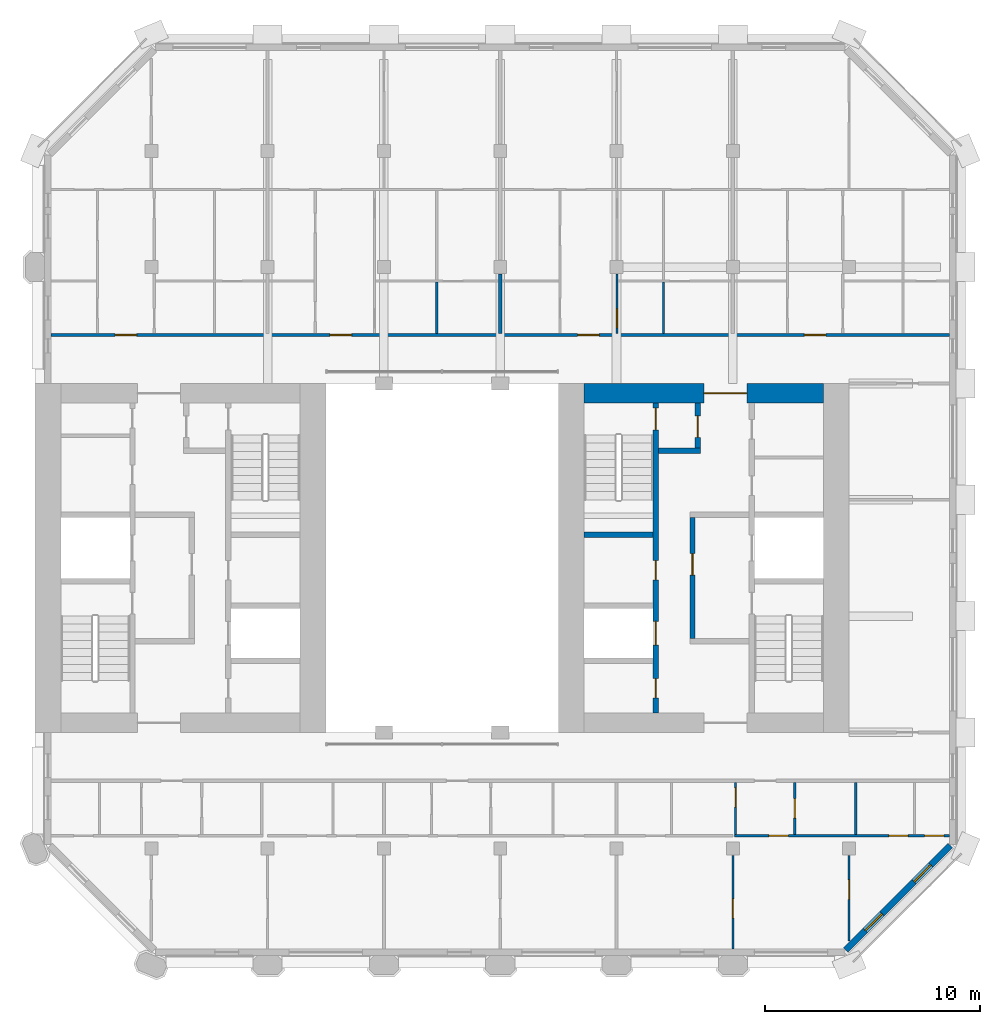
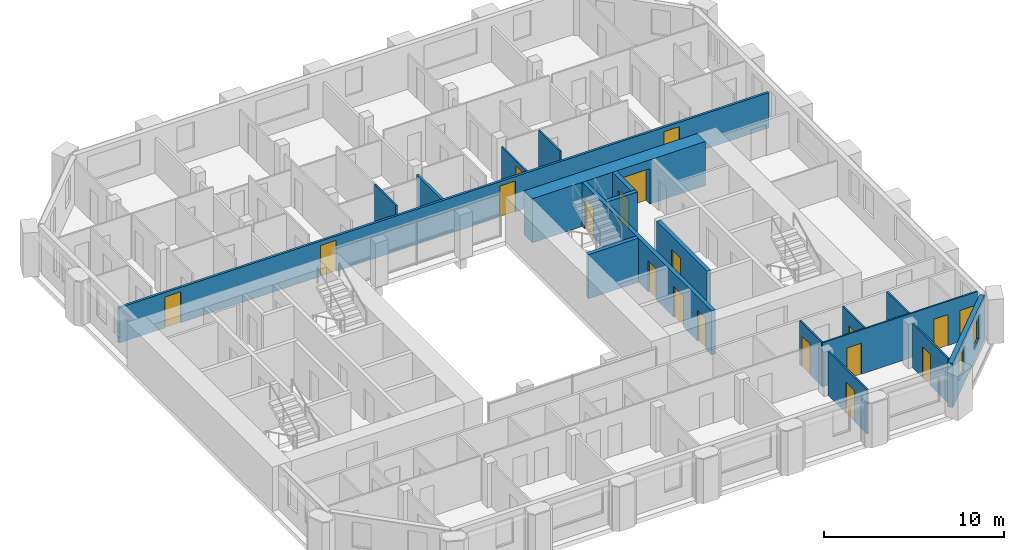
# One storey, part 6 of 13: 19 doors, 18 walls, 2 windows, 21 openings.
"""IFC4 building model written with IfcOpenShell, lengths in metres."""

from ifc_helpers import new_model, si_unit, direction, frame, frame_2d, origin, place, context, subcontext, project, spatial, rectangle, extrude, material, layer, layer_set, type_object, element, fill, save


model = new_model("IFC4")

# Units and contexts
model_context = context("Model", 3, precision=1e-05, world=origin(), true_north=direction((0.0, 1.0)))
body_context = subcontext(model_context, "Body", "Model", "MODEL_VIEW")
ifc_project = project(units=[si_unit("LENGTHUNIT", "METRE"), si_unit("AREAUNIT", "SQUARE_METRE"), si_unit("VOLUMEUNIT", "CUBIC_METRE"), si_unit("PLANEANGLEUNIT", "RADIAN"), si_unit("MASSUNIT", "GRAM", prefix="KILO")], contexts=[model_context])

# Site, building, storey
site_placement = place(None, origin())
site = spatial("IfcSite", under=ifc_project, at=site_placement, CompositionType="ELEMENT")
building_placement = place(site_placement, origin())
building = spatial("IfcBuilding", under=site, at=building_placement, Name="Tabaq Tower and Sports Hall", CompositionType="ELEMENT")
storey_placement = place(building_placement, frame((0.0, 0.0, 291.699951171875)))
storey = spatial("IfcBuildingStorey", under=building, at=storey_placement, Name="L72", CompositionType="ELEMENT", Elevation=291.699951171875)

# Wall, opening, door
ifc_material_1 = material(Name="Concrete C40/50", Category="concrete")
ifc_layer_1 = layer(ifc_material_1, 0.89990234375)
ifc_layer_set_1 = layer_set([ifc_layer_1], Name="Core wall 900 Concrete C40/50")
wall_type_1 = type_object("IfcWallType", Name="Core wall 900 Concrete C40/50", PredefinedType="SOLIDWALL", material=ifc_layer_set_1)
wall_1_placement = place(storey_placement, frame((30.89990234375, 31.949951171875, 0.0), z_axis=(0.0, 0.0, 1.0), x_axis=(1.0, 0.0, 0.0)))
wall_1 = element("IfcWall", 1, at=wall_1_placement, inside=storey, type_object=wall_type_1, Name="Core wall E L72", PredefinedType="SOLIDWALL", context=body_context, shape_type="SweptSolid", body=[
    extrude(rectangle(XDim=11.10009765625, YDim=0.89990234375, at=frame_2d((5.550048828125, 0.0))), origin(), (0.0, 0.0, 1.0), 3.0),
])
opening_1_placement = place(wall_1_placement, frame((5.550048828125, 0.0, 0.0)))
opening_1 = element("IfcOpeningElement", 2, at=opening_1_placement, cuts=wall_1, Name="Opening PD-EL72-02", PredefinedType="OPENING", context=body_context, shape_type="SweptSolid", body=[
    extrude(rectangle(XDim=2.0, YDim=2.39990234375, at=frame_2d((1.0, 1.199951171875))), frame((0.0, 0.449951171875, 0.0), z_axis=(0.0, -1.0, 0.0), x_axis=(1.0, 0.0, 0.0)), (0.0, 0.0, 1.0), 0.89990234375),
])
ifc_material_2 = material(Name="Steel fire door", Category="steel")
door_type_1 = type_object("IfcDoorType", Name="Core entrance door 2000", OperationType="DOUBLE_DOOR_SINGLE_SWING", PredefinedType="DOOR", material=ifc_material_2)
door_1_placement = place(opening_1_placement, origin())
door_1 = element("IfcDoor", 3, at=door_1_placement, inside=storey, type_object=door_type_1, Name="Core entrance north E L72", OperationType="DOUBLE_DOOR_SINGLE_SWING", OverallHeight=2.39990234375, OverallWidth=2.0, PredefinedType="DOOR", context=body_context, shape_type="SweptSolid", body=[
    extrude(rectangle(XDim=2.0, YDim=2.39990234375, at=frame_2d((1.0, 1.199951171875))), frame((0.0, 0.02490234375, 0.0), z_axis=(0.0, -1.0, 0.0), x_axis=(1.0, 0.0, 0.0)), (0.0, 0.0, 1.0), 0.050048828125),
])
fill(opening_1, door_1)

# Wall
ifc_material_3 = material(Name="Gypsum board on steel studs", Category="steel")
ifc_layer_2 = layer(ifc_material_3, 0.10009765625)
ifc_layer_set_2 = layer_set([ifc_layer_2], Name="Partition 100 Gypsum board")
wall_type_2 = type_object("IfcWallType", Name="Partition 100 Gypsum board", PredefinedType="PARTITIONING", material=ifc_layer_set_2)
wall_2_placement = place(storey_placement, frame((24.050048828125, 34.72509765625, 0.0), z_axis=(0.0, 0.0, 1.0), x_axis=(0.0, 1.0, 0.0)))
element("IfcWall", 4, at=wall_2_placement, inside=storey, type_object=wall_type_2, Name="Partition wall L72", PredefinedType="PARTITIONING", context=body_context, shape_type="SweptSolid", body=[
    extrude(rectangle(XDim=2.375, YDim=0.10009765625, at=frame_2d((1.1875, 0.0))), origin(), (0.0, 0.0, 1.0), 3.0),
])

# Wall, opening, door
wall_3_placement = place(storey_placement, frame((32.419921875, 34.72509765625, 0.0), z_axis=(0.0, 0.0, 1.0), x_axis=(0.0, 1.0, 0.0)))
wall_3 = element("IfcWall", 5, at=wall_3_placement, inside=storey, type_object=wall_type_2, Name="Partition wall L72", PredefinedType="PARTITIONING", context=body_context, shape_type="SweptSolid", body=[
    extrude(rectangle(XDim=2.7548828125, YDim=0.10009765625, at=frame_2d((1.37744140625, 0.0))), origin(), (0.0, 0.0, 1.0), 2.400146484375),
])
opening_2_placement = place(wall_3_placement, frame((0.25, 0.0, 0.0)))
opening_2 = element("IfcOpeningElement", 6, at=opening_2_placement, cuts=wall_3, Name="Opening L72-011", PredefinedType="OPENING", context=body_context, shape_type="SweptSolid", body=[
    extrude(rectangle(XDim=0.89990234375, YDim=2.10009765625, at=frame_2d((0.449951171875, 1.050048828125))), frame((0.0, 0.050048828125, 0.0), z_axis=(0.0, -1.0, 0.0), x_axis=(1.0, 0.0, 0.0)), (0.0, 0.0, 1.0), 0.10009765625),
])
ifc_material_4 = material(Name="Timber leaf in steel frame", Category="steel")
door_type_2 = type_object("IfcDoorType", Name="Internal door 900 right hand", OperationType="SINGLE_SWING_RIGHT", PredefinedType="DOOR", material=ifc_material_4)
door_2_placement = place(opening_2_placement, origin())
door_2 = element("IfcDoor", 7, at=door_2_placement, inside=storey, type_object=door_type_2, Name="Internal door L72-011", OperationType="SINGLE_SWING_RIGHT", OverallHeight=2.10009765625, OverallWidth=0.89990234375, PredefinedType="DOOR", context=body_context, shape_type="SweptSolid", body=[
    extrude(rectangle(XDim=0.89990234375, YDim=2.10009765625, at=frame_2d((0.449951171875, 1.050048828125))), frame((0.0, 0.02490234375, 0.0), z_axis=(0.0, -1.0, 0.0), x_axis=(1.0, 0.0, 0.0)), (0.0, 0.0, 1.0), 0.050048828125),
])
fill(opening_2, door_2)

# Wall
wall_4_placement = place(storey_placement, frame((34.575927734375, 34.72509765625, 0.0), z_axis=(0.0, 0.0, 1.0), x_axis=(0.0, 1.0, 0.0)))
element("IfcWall", 8, at=wall_4_placement, inside=storey, type_object=wall_type_2, Name="Partition wall L72", PredefinedType="PARTITIONING", context=body_context, shape_type="SweptSolid", body=[
    extrude(rectangle(XDim=2.375, YDim=0.10009765625, at=frame_2d((1.1875, 0.0))), origin(), (0.0, 0.0, 1.0), 3.0),
])

# Wall, opening, door
wall_5_placement = place(storey_placement, frame((37.800048828125, 6.15087890625, 0.0), z_axis=(0.0, 0.0, 1.0), x_axis=(0.0, 1.0, 0.0)))
wall_5 = element("IfcWall", 9, at=wall_5_placement, inside=storey, type_object=wall_type_2, Name="Partition wall L72", PredefinedType="PARTITIONING", context=body_context, shape_type="SweptSolid", body=[
    extrude(rectangle(XDim=4.3291015625, YDim=0.10009765625, at=frame_2d((2.16455078125, 0.0))), origin(), (0.0, 0.0, 1.0), 3.0),
])
opening_3_placement = place(wall_5_placement, frame((1.424072265625, 0.0, 0.0)))
opening_3 = element("IfcOpeningElement", 10, at=opening_3_placement, cuts=wall_5, Name="Opening L72-051", PredefinedType="OPENING", context=body_context, shape_type="SweptSolid", body=[
    extrude(rectangle(XDim=0.89990234375, YDim=2.10009765625, at=frame_2d((0.449951171875, 1.050048828125))), frame((0.0, 0.050048828125, 0.0), z_axis=(0.0, -1.0, 0.0), x_axis=(1.0, 0.0, 0.0)), (0.0, 0.0, 1.0), 0.10009765625),
])
door_3_placement = place(opening_3_placement, origin())
door_3 = element("IfcDoor", 11, at=door_3_placement, inside=storey, type_object=door_type_2, Name="Internal door L72-051", OperationType="SINGLE_SWING_RIGHT", OverallHeight=2.10009765625, OverallWidth=0.89990234375, PredefinedType="DOOR", context=body_context, shape_type="SweptSolid", body=[
    extrude(rectangle(XDim=0.89990234375, YDim=2.10009765625, at=frame_2d((0.449951171875, 1.050048828125))), frame((0.0, 0.02490234375, 0.0), z_axis=(0.0, -1.0, 0.0), x_axis=(1.0, 0.0, 0.0)), (0.0, 0.0, 1.0), 0.050048828125),
])
fill(opening_3, door_3)

wall_6_placement = place(storey_placement, frame((43.199951171875, 6.51220703125, 0.0), z_axis=(0.0, 0.0, 1.0), x_axis=(0.0, 1.0, 0.0)))
wall_6 = element("IfcWall", 12, at=wall_6_placement, inside=storey, type_object=wall_type_2, Name="Partition wall L72", PredefinedType="PARTITIONING", context=body_context, shape_type="SweptSolid", body=[
    extrude(rectangle(XDim=3.9677734375, YDim=0.10009765625, at=frame_2d((1.98388671875, 0.0))), origin(), (0.0, 0.0, 1.0), 3.0),
])
opening_4_placement = place(wall_6_placement, frame((1.93798828125, 0.0, 0.0)))
opening_4 = element("IfcOpeningElement", 13, at=opening_4_placement, cuts=wall_6, Name="Opening L72-059", PredefinedType="OPENING", context=body_context, shape_type="SweptSolid", body=[
    extrude(rectangle(XDim=0.89990234375, YDim=2.10009765625, at=frame_2d((0.449951171875, 1.050048828125))), frame((0.0, 0.050048828125, 0.0), z_axis=(0.0, -1.0, 0.0), x_axis=(1.0, 0.0, 0.0)), (0.0, 0.0, 1.0), 0.10009765625),
])
ifc_material_5 = material(Name="Timber leaf in steel frame", Category="steel")
door_type_3 = type_object("IfcDoorType", Name="Internal door 900 left hand", OperationType="SINGLE_SWING_LEFT", PredefinedType="DOOR", material=ifc_material_5)
door_4_placement = place(opening_4_placement, origin())
door_4 = element("IfcDoor", 14, at=door_4_placement, inside=storey, type_object=door_type_3, Name="Internal door L72-059", OperationType="SINGLE_SWING_LEFT", OverallHeight=2.10009765625, OverallWidth=0.89990234375, PredefinedType="DOOR", context=body_context, shape_type="SweptSolid", body=[
    extrude(rectangle(XDim=0.89990234375, YDim=2.10009765625, at=frame_2d((0.449951171875, 1.050048828125))), frame((0.0, 0.02490234375, 0.0), z_axis=(0.0, -1.0, 0.0), x_axis=(1.0, 0.0, 0.0)), (0.0, 0.0, 1.0), 0.050048828125),
])
fill(opening_4, door_4)

# Wall, openings, doors
wall_7_placement = place(storey_placement, frame((47.84912109375, 11.39990234375, 0.0), z_axis=(0.0, 0.0, 1.0), x_axis=(-1.0, 0.0, 0.0)))
wall_7 = element("IfcWall", 15, at=wall_7_placement, inside=storey, type_object=wall_type_2, Name="Partition wall L72", PredefinedType="PARTITIONING", context=body_context, shape_type="SweptSolid", body=[
    extrude(rectangle(XDim=9.97412109375, YDim=0.10009765625, at=frame_2d((4.987060546875, 0.0))), origin(), (0.0, 0.0, 1.0), 3.0),
])
opening_5_placement = place(wall_7_placement, frame((1.908935546875, 0.0, 0.0)))
opening_5 = element("IfcOpeningElement", 16, at=opening_5_placement, cuts=wall_7, Name="Opening L72-026", PredefinedType="OPENING", context=body_context, shape_type="SweptSolid", body=[
    extrude(rectangle(XDim=0.89990234375, YDim=2.10009765625, at=frame_2d((0.449951171875, 1.050048828125))), frame((0.0, 0.050048828125, 0.0), z_axis=(0.0, -1.0, 0.0), x_axis=(1.0, 0.0, 0.0)), (0.0, 0.0, 1.0), 0.10009765625),
])
opening_6_placement = place(wall_7_placement, frame((0.25, 0.0, 0.0)))
opening_6 = element("IfcOpeningElement", 17, at=opening_6_placement, cuts=wall_7, Name="Opening L72-027", PredefinedType="OPENING", context=body_context, shape_type="SweptSolid", body=[
    extrude(rectangle(XDim=0.89990234375, YDim=2.10009765625, at=frame_2d((0.449951171875, 1.050048828125))), frame((0.0, 0.050048828125, 0.0), z_axis=(0.0, -1.0, 0.0), x_axis=(1.0, 0.0, 0.0)), (0.0, 0.0, 1.0), 0.10009765625),
])
opening_7_placement = place(wall_7_placement, frame((7.47412109375, 0.0, 0.0)))
opening_7 = element("IfcOpeningElement", 18, at=opening_7_placement, cuts=wall_7, Name="Opening L72-060", PredefinedType="OPENING", context=body_context, shape_type="SweptSolid", body=[
    extrude(rectangle(XDim=0.89990234375, YDim=2.10009765625, at=frame_2d((0.449951171875, 1.050048828125))), frame((0.0, 0.050048828125, 0.0), z_axis=(0.0, -1.0, 0.0), x_axis=(1.0, 0.0, 0.0)), (0.0, 0.0, 1.0), 0.10009765625),
])
door_5_placement = place(opening_6_placement, origin())
door_5 = element("IfcDoor", 19, at=door_5_placement, inside=storey, type_object=door_type_3, Name="Internal door L72-027", OperationType="SINGLE_SWING_LEFT", OverallHeight=2.10009765625, OverallWidth=0.89990234375, PredefinedType="DOOR", context=body_context, shape_type="SweptSolid", body=[
    extrude(rectangle(XDim=0.89990234375, YDim=2.10009765625, at=frame_2d((0.449951171875, 1.050048828125))), frame((0.0, 0.02490234375, 0.0), z_axis=(0.0, -1.0, 0.0), x_axis=(1.0, 0.0, 0.0)), (0.0, 0.0, 1.0), 0.050048828125),
])
fill(opening_6, door_5)
door_6_placement = place(opening_7_placement, origin())
door_6 = element("IfcDoor", 20, at=door_6_placement, inside=storey, type_object=door_type_3, Name="Internal door L72-060", OperationType="SINGLE_SWING_LEFT", OverallHeight=2.10009765625, OverallWidth=0.89990234375, PredefinedType="DOOR", context=body_context, shape_type="SweptSolid", body=[
    extrude(rectangle(XDim=0.89990234375, YDim=2.10009765625, at=frame_2d((0.449951171875, 1.050048828125))), frame((0.0, 0.02490234375, 0.0), z_axis=(0.0, -1.0, 0.0), x_axis=(1.0, 0.0, 0.0)), (0.0, 0.0, 1.0), 0.050048828125),
])
fill(opening_7, door_6)
door_7_placement = place(opening_5_placement, origin())
door_7 = element("IfcDoor", 21, at=door_7_placement, inside=storey, type_object=door_type_2, Name="Internal door L72-026", OperationType="SINGLE_SWING_RIGHT", OverallHeight=2.10009765625, OverallWidth=0.89990234375, PredefinedType="DOOR", context=body_context, shape_type="SweptSolid", body=[
    extrude(rectangle(XDim=0.89990234375, YDim=2.10009765625, at=frame_2d((0.449951171875, 1.050048828125))), frame((0.0, 0.02490234375, 0.0), z_axis=(0.0, -1.0, 0.0), x_axis=(1.0, 0.0, 0.0)), (0.0, 0.0, 1.0), 0.050048828125),
])
fill(opening_5, door_7)

# Wall, opening, door
wall_8_placement = place(storey_placement, frame((37.925048828125, 11.449951171875, 0.0), z_axis=(0.0, 0.0, 1.0), x_axis=(0.0, 1.0, 0.0)))
wall_8 = element("IfcWall", 22, at=wall_8_placement, inside=storey, type_object=wall_type_2, Name="Partition wall L72", PredefinedType="PARTITIONING", context=body_context, shape_type="SweptSolid", body=[
    extrude(rectangle(XDim=2.425048828125, YDim=0.10009765625, at=frame_2d((1.21240234375, 0.0))), origin(), (0.0, 0.0, 1.0), 3.0),
])
opening_8_placement = place(wall_8_placement, frame((1.27490234375, 0.0, 0.0)))
opening_8 = element("IfcOpeningElement", 23, at=opening_8_placement, cuts=wall_8, Name="Opening L72-028", PredefinedType="OPENING", context=body_context, shape_type="SweptSolid", body=[
    extrude(rectangle(XDim=0.89990234375, YDim=2.10009765625, at=frame_2d((0.449951171875, 1.050048828125))), frame((0.0, 0.050048828125, 0.0), z_axis=(0.0, -1.0, 0.0), x_axis=(1.0, 0.0, 0.0)), (0.0, 0.0, 1.0), 0.10009765625),
])
door_8_placement = place(opening_8_placement, origin())
door_8 = element("IfcDoor", 24, at=door_8_placement, inside=storey, type_object=door_type_2, Name="Internal door L72-028", OperationType="SINGLE_SWING_RIGHT", OverallHeight=2.10009765625, OverallWidth=0.89990234375, PredefinedType="DOOR", context=body_context, shape_type="SweptSolid", body=[
    extrude(rectangle(XDim=0.89990234375, YDim=2.10009765625, at=frame_2d((0.449951171875, 1.050048828125))), frame((0.0, 0.02490234375, 0.0), z_axis=(0.0, -1.0, 0.0), x_axis=(1.0, 0.0, 0.0)), (0.0, 0.0, 1.0), 0.050048828125),
])
fill(opening_8, door_8)

wall_9_placement = place(storey_placement, frame((40.675048828125, 11.449951171875, 0.0), z_axis=(0.0, 0.0, 1.0), x_axis=(0.0, 1.0, 0.0)))
wall_9 = element("IfcWall", 25, at=wall_9_placement, inside=storey, type_object=wall_type_2, Name="Partition wall L72", PredefinedType="PARTITIONING", context=body_context, shape_type="SweptSolid", body=[
    extrude(rectangle(XDim=2.425048828125, YDim=0.10009765625, at=frame_2d((1.21240234375, 0.0))), origin(), (0.0, 0.0, 1.0), 3.0),
])
opening_9_placement = place(wall_9_placement, frame((0.77490234375, 0.0, 0.0)))
opening_9 = element("IfcOpeningElement", 26, at=opening_9_placement, cuts=wall_9, Name="Opening L72-029", PredefinedType="OPENING", context=body_context, shape_type="SweptSolid", body=[
    extrude(rectangle(XDim=0.89990234375, YDim=2.10009765625, at=frame_2d((0.449951171875, 1.050048828125))), frame((0.0, 0.050048828125, 0.0), z_axis=(0.0, -1.0, 0.0), x_axis=(1.0, 0.0, 0.0)), (0.0, 0.0, 1.0), 0.10009765625),
])
door_9_placement = place(opening_9_placement, origin())
door_9 = element("IfcDoor", 27, at=door_9_placement, inside=storey, type_object=door_type_3, Name="Internal door L72-029", OperationType="SINGLE_SWING_LEFT", OverallHeight=2.10009765625, OverallWidth=0.89990234375, PredefinedType="DOOR", context=body_context, shape_type="SweptSolid", body=[
    extrude(rectangle(XDim=0.89990234375, YDim=2.10009765625, at=frame_2d((0.449951171875, 1.050048828125))), frame((0.0, 0.02490234375, 0.0), z_axis=(0.0, -1.0, 0.0), x_axis=(1.0, 0.0, 0.0)), (0.0, 0.0, 1.0), 0.050048828125),
])
fill(opening_9, door_9)

# Walls
wall_10_placement = place(storey_placement, frame((43.5048828125, 11.449951171875, 0.0), z_axis=(0.0, 0.0, 1.0), x_axis=(0.0, 1.0, 0.0)))
element("IfcWall", 28, at=wall_10_placement, inside=storey, type_object=wall_type_2, Name="Partition wall L72", PredefinedType="PARTITIONING", context=body_context, shape_type="SweptSolid", body=[
    extrude(rectangle(XDim=2.425048828125, YDim=0.10009765625, at=frame_2d((1.21240234375, 0.0))), origin(), (0.0, 0.0, 1.0), 3.0),
])
ifc_material_6 = material(Name="Blockwork", Category="masonry")
ifc_layer_3 = layer(ifc_material_6, 0.14990234375)
ifc_layer_set_3 = layer_set([ifc_layer_3], Name="Separating wall 150 Blockwork")
wall_type_3 = type_object("IfcWallType", Name="Separating wall 150 Blockwork", PredefinedType="PARTITIONING", material=ifc_layer_set_3)
wall_11_placement = place(storey_placement, frame((27.0, 34.72509765625, 0.0), z_axis=(0.0, 0.0, 1.0), x_axis=(0.0, 1.0, 0.0)))
element("IfcWall", 29, at=wall_11_placement, inside=storey, type_object=wall_type_3, Name="Separating wall L72", PredefinedType="PARTITIONING", context=body_context, shape_type="SweptSolid", body=[
    extrude(rectangle(XDim=2.7548828125, YDim=0.14990234375, at=frame_2d((1.37744140625, 0.0))), origin(), (0.0, 0.0, 1.0), 2.400146484375),
])

# Wall, openings, doors
wall_12_placement = place(storey_placement, frame((6.15087890625, 34.64990234375, 0.0), z_axis=(0.0, 0.0, 1.0), x_axis=(1.0, 0.0, 0.0)))
wall_12 = element("IfcWall", 30, at=wall_12_placement, inside=storey, type_object=wall_type_3, Name="Separating wall L72", PredefinedType="PARTITIONING", context=body_context, shape_type="SweptSolid", body=[
    extrude(rectangle(XDim=41.6982421875, YDim=0.14990234375, at=frame_2d((20.84912109375, 0.0))), origin(), (0.0, 0.0, 1.0), 2.400146484375),
])
opening_10_placement = place(wall_12_placement, frame((2.968994140625, 0.0, 0.0)))
opening_10 = element("IfcOpeningElement", 31, at=opening_10_placement, cuts=wall_12, Name="Opening L72-064", PredefinedType="OPENING", context=body_context, shape_type="SweptSolid", body=[
    extrude(rectangle(XDim=1.0, YDim=2.10009765625, at=frame_2d((0.5, 1.050048828125))), frame((0.0, 0.074951171875, 0.0), z_axis=(0.0, -1.0, 0.0), x_axis=(1.0, 0.0, 0.0)), (0.0, 0.0, 1.0), 0.14990234375),
])
opening_11_placement = place(wall_12_placement, frame((12.944091796875, 0.0, 0.0)))
opening_11 = element("IfcOpeningElement", 32, at=opening_11_placement, cuts=wall_12, Name="Opening L72-065", PredefinedType="OPENING", context=body_context, shape_type="SweptSolid", body=[
    extrude(rectangle(XDim=1.0, YDim=2.10009765625, at=frame_2d((0.5, 1.050048828125))), frame((0.0, 0.074951171875, 0.0), z_axis=(0.0, -1.0, 0.0), x_axis=(1.0, 0.0, 0.0)), (0.0, 0.0, 1.0), 0.14990234375),
])
opening_12_placement = place(wall_12_placement, frame((24.444091796875, 0.0, 0.0)))
opening_12 = element("IfcOpeningElement", 33, at=opening_12_placement, cuts=wall_12, Name="Opening L72-066", PredefinedType="OPENING", context=body_context, shape_type="SweptSolid", body=[
    extrude(rectangle(XDim=1.0, YDim=2.10009765625, at=frame_2d((0.5, 1.050048828125))), frame((0.0, 0.074951171875, 0.0), z_axis=(0.0, -1.0, 0.0), x_axis=(1.0, 0.0, 0.0)), (0.0, 0.0, 1.0), 0.14990234375),
])
opening_13_placement = place(wall_12_placement, frame((34.964111328125, 0.0, 0.0)))
opening_13 = element("IfcOpeningElement", 34, at=opening_13_placement, cuts=wall_12, Name="Opening L72-067", PredefinedType="OPENING", context=body_context, shape_type="SweptSolid", body=[
    extrude(rectangle(XDim=1.0, YDim=2.10009765625, at=frame_2d((0.5, 1.050048828125))), frame((0.0, 0.074951171875, 0.0), z_axis=(0.0, -1.0, 0.0), x_axis=(1.0, 0.0, 0.0)), (0.0, 0.0, 1.0), 0.14990234375),
])
ifc_material_7 = material(Name="Steel fire door", Category="steel")
door_type_4 = type_object("IfcDoorType", Name="Entrance door 1000 left hand", OperationType="SINGLE_SWING_LEFT", PredefinedType="DOOR", material=ifc_material_7)
door_10_placement = place(opening_12_placement, origin())
door_10 = element("IfcDoor", 35, at=door_10_placement, inside=storey, type_object=door_type_4, Name="Entrance door L72-066", OperationType="SINGLE_SWING_LEFT", OverallHeight=2.10009765625, OverallWidth=1.0, PredefinedType="DOOR", context=body_context, shape_type="SweptSolid", body=[
    extrude(rectangle(XDim=1.0, YDim=2.10009765625, at=frame_2d((0.5, 1.050048828125))), frame((0.0, 0.02490234375, 0.0), z_axis=(0.0, -1.0, 0.0), x_axis=(1.0, 0.0, 0.0)), (0.0, 0.0, 1.0), 0.050048828125),
])
fill(opening_12, door_10)
door_11_placement = place(opening_13_placement, origin())
door_11 = element("IfcDoor", 36, at=door_11_placement, inside=storey, type_object=door_type_4, Name="Entrance door L72-067", OperationType="SINGLE_SWING_LEFT", OverallHeight=2.10009765625, OverallWidth=1.0, PredefinedType="DOOR", context=body_context, shape_type="SweptSolid", body=[
    extrude(rectangle(XDim=1.0, YDim=2.10009765625, at=frame_2d((0.5, 1.050048828125))), frame((0.0, 0.02490234375, 0.0), z_axis=(0.0, -1.0, 0.0), x_axis=(1.0, 0.0, 0.0)), (0.0, 0.0, 1.0), 0.050048828125),
])
fill(opening_13, door_11)
ifc_material_8 = material(Name="Steel fire door", Category="steel")
door_type_5 = type_object("IfcDoorType", Name="Entrance door 1000 right hand", OperationType="SINGLE_SWING_RIGHT", PredefinedType="DOOR", material=ifc_material_8)
door_12_placement = place(opening_10_placement, origin())
door_12 = element("IfcDoor", 37, at=door_12_placement, inside=storey, type_object=door_type_5, Name="Entrance door L72-064", OperationType="SINGLE_SWING_RIGHT", OverallHeight=2.10009765625, OverallWidth=1.0, PredefinedType="DOOR", context=body_context, shape_type="SweptSolid", body=[
    extrude(rectangle(XDim=1.0, YDim=2.10009765625, at=frame_2d((0.5, 1.050048828125))), frame((0.0, 0.02490234375, 0.0), z_axis=(0.0, -1.0, 0.0), x_axis=(1.0, 0.0, 0.0)), (0.0, 0.0, 1.0), 0.050048828125),
])
fill(opening_10, door_12)
door_13_placement = place(opening_11_placement, origin())
door_13 = element("IfcDoor", 38, at=door_13_placement, inside=storey, type_object=door_type_5, Name="Entrance door L72-065", OperationType="SINGLE_SWING_RIGHT", OverallHeight=2.10009765625, OverallWidth=1.0, PredefinedType="DOOR", context=body_context, shape_type="SweptSolid", body=[
    extrude(rectangle(XDim=1.0, YDim=2.10009765625, at=frame_2d((0.5, 1.050048828125))), frame((0.0, 0.02490234375, 0.0), z_axis=(0.0, -1.0, 0.0), x_axis=(1.0, 0.0, 0.0)), (0.0, 0.0, 1.0), 0.050048828125),
])
fill(opening_11, door_13)

ifc_material_9 = material(Name="Concrete C40/50", Category="concrete")
ifc_layer_4 = layer(ifc_material_9, 0.25)
ifc_layer_set_4 = layer_set([ifc_layer_4], Name="Shaft and stair wall 250 Concrete C40/50")
wall_type_4 = type_object("IfcWallType", Name="Shaft and stair wall 250 Concrete C40/50", PredefinedType="SOLIDWALL", material=ifc_layer_set_4)
wall_13_placement = place(storey_placement, frame((34.22509765625, 17.10009765625, 0.0), z_axis=(0.0, 0.0, 1.0), x_axis=(0.0, 1.0, 0.0)))
wall_13 = element("IfcWall", 39, at=wall_13_placement, inside=storey, type_object=wall_type_4, Name="Shaft wall E L72", PredefinedType="SOLIDWALL", context=body_context, shape_type="SweptSolid", body=[
    extrude(rectangle(XDim=14.39990234375, YDim=0.25, at=frame_2d((7.199951171875, 0.0))), origin(), (0.0, 0.0, 1.0), 3.0),
])
opening_14_placement = place(wall_13_placement, frame((13.14990234375, 0.0, 0.0)))
opening_14 = element("IfcOpeningElement", 40, at=opening_14_placement, cuts=wall_13, Name="Opening SD-EL72-05", PredefinedType="OPENING", context=body_context, shape_type="SweptSolid", body=[
    extrude(rectangle(XDim=1.0, YDim=2.10009765625, at=frame_2d((0.5, 1.050048828125))), frame((0.0, 0.125, 0.0), z_axis=(0.0, -1.0, 0.0), x_axis=(1.0, 0.0, 0.0)), (0.0, 0.0, 1.0), 0.25),
])
opening_15_placement = place(wall_13_placement, frame((3.14990234375, 0.0, 0.0)))
opening_15 = element("IfcOpeningElement", 41, at=opening_15_placement, cuts=wall_13, Name="Opening LD-HR2-L72", PredefinedType="OPENING", context=body_context, shape_type="SweptSolid", body=[
    extrude(rectangle(XDim=1.10009765625, YDim=2.10009765625, at=frame_2d((0.550048828125, 1.050048828125))), frame((0.0, 0.125, 0.0), z_axis=(0.0, -1.0, 0.0), x_axis=(1.0, 0.0, 0.0)), (0.0, 0.0, 1.0), 0.25),
])
opening_16_placement = place(wall_13_placement, frame((0.699951171875, 0.0, 0.0)))
opening_16 = element("IfcOpeningElement", 42, at=opening_16_placement, cuts=wall_13, Name="Opening RD-EL72-11", PredefinedType="OPENING", context=body_context, shape_type="SweptSolid", body=[
    extrude(rectangle(XDim=0.89990234375, YDim=2.10009765625, at=frame_2d((0.449951171875, 1.050048828125))), frame((0.0, 0.125, 0.0), z_axis=(0.0, -1.0, 0.0), x_axis=(1.0, 0.0, 0.0)), (0.0, 0.0, 1.0), 0.25),
])
opening_17_placement = place(wall_13_placement, frame((6.175048828125, 0.0, 0.0)))
opening_17 = element("IfcOpeningElement", 43, at=opening_17_placement, cuts=wall_13, Name="Opening RD-EL72-12", PredefinedType="OPENING", context=body_context, shape_type="SweptSolid", body=[
    extrude(rectangle(XDim=0.89990234375, YDim=2.10009765625, at=frame_2d((0.449951171875, 1.050048828125))), frame((0.0, 0.125, 0.0), z_axis=(0.0, -1.0, 0.0), x_axis=(1.0, 0.0, 0.0)), (0.0, 0.0, 1.0), 0.25),
])
ifc_material_10 = material(Name="Steel fire door", Category="steel")
door_type_6 = type_object("IfcDoorType", Name="Core room door 900", OperationType="SINGLE_SWING_LEFT", PredefinedType="DOOR", material=ifc_material_10)
door_14_placement = place(opening_16_placement, origin())
door_14 = element("IfcDoor", 44, at=door_14_placement, inside=storey, type_object=door_type_6, Name="Door Electrical Riser Room E L72", OperationType="SINGLE_SWING_LEFT", OverallHeight=2.10009765625, OverallWidth=0.89990234375, PredefinedType="DOOR", context=body_context, shape_type="SweptSolid", body=[
    extrude(rectangle(XDim=0.89990234375, YDim=2.10009765625, at=frame_2d((0.449951171875, 1.050048828125))), frame((0.0, 0.02490234375, 0.0), z_axis=(0.0, -1.0, 0.0), x_axis=(1.0, 0.0, 0.0)), (0.0, 0.0, 1.0), 0.050048828125),
])
fill(opening_16, door_14)
door_15_placement = place(opening_17_placement, origin())
door_15 = element("IfcDoor", 45, at=door_15_placement, inside=storey, type_object=door_type_6, Name="Door Riser Room E L72", OperationType="SINGLE_SWING_LEFT", OverallHeight=2.10009765625, OverallWidth=0.89990234375, PredefinedType="DOOR", context=body_context, shape_type="SweptSolid", body=[
    extrude(rectangle(XDim=0.89990234375, YDim=2.10009765625, at=frame_2d((0.449951171875, 1.050048828125))), frame((0.0, 0.02490234375, 0.0), z_axis=(0.0, -1.0, 0.0), x_axis=(1.0, 0.0, 0.0)), (0.0, 0.0, 1.0), 0.050048828125),
])
fill(opening_17, door_15)
ifc_material_11 = material(Name="Stainless steel", Category="steel")
door_type_7 = type_object("IfcDoorType", Name="Lift landing door 1100", OperationType="DOUBLE_DOOR_SLIDING", PredefinedType="DOOR", material=ifc_material_11)
door_16_placement = place(opening_15_placement, origin())
door_16 = element("IfcDoor", 46, at=door_16_placement, inside=storey, type_object=door_type_7, Name="Lift landing door HR2 E L72", OperationType="DOUBLE_DOOR_SLIDING", OverallHeight=2.10009765625, OverallWidth=1.10009765625, PredefinedType="DOOR", context=body_context, shape_type="SweptSolid", body=[
    extrude(rectangle(XDim=1.10009765625, YDim=2.10009765625, at=frame_2d((0.550048828125, 1.050048828125))), frame((0.0, 0.02490234375, 0.0), z_axis=(0.0, -1.0, 0.0), x_axis=(1.0, 0.0, 0.0)), (0.0, 0.0, 1.0), 0.050048828125),
])
fill(opening_15, door_16)
ifc_material_12 = material(Name="Steel fire door", Category="steel")
door_type_8 = type_object("IfcDoorType", Name="Stair door 1000", OperationType="SINGLE_SWING_LEFT", PredefinedType="DOOR", material=ifc_material_12)
door_17_placement = place(opening_14_placement, origin())
door_17 = element("IfcDoor", 47, at=door_17_placement, inside=storey, type_object=door_type_8, Name="Stair door ST4 E L72", OperationType="SINGLE_SWING_LEFT", OverallHeight=2.10009765625, OverallWidth=1.0, PredefinedType="DOOR", context=body_context, shape_type="SweptSolid", body=[
    extrude(rectangle(XDim=1.0, YDim=2.10009765625, at=frame_2d((0.5, 1.050048828125))), frame((0.0, 0.02490234375, 0.0), z_axis=(0.0, -1.0, 0.0), x_axis=(1.0, 0.0, 0.0)), (0.0, 0.0, 1.0), 0.050048828125),
])
fill(opening_14, door_17)

# Wall
wall_14_placement = place(storey_placement, frame((30.89990234375, 25.375, 0.0), z_axis=(0.0, 0.0, 1.0), x_axis=(1.0, 0.0, 0.0)))
element("IfcWall", 48, at=wall_14_placement, inside=storey, type_object=wall_type_4, Name="Stair enclosure wall E L72", PredefinedType="SOLIDWALL", context=body_context, shape_type="SweptSolid", body=[
    extrude(rectangle(XDim=3.2001953125, YDim=0.25, at=frame_2d((1.60009765625, 0.0))), origin(), (0.0, 0.0, 1.0), 3.0),
])

# Wall, opening, door
wall_15_placement = place(storey_placement, frame((36.175048828125, 29.39990234375, 0.0), z_axis=(0.0, 0.0, 1.0), x_axis=(0.0, 1.0, 0.0)))
wall_15 = element("IfcWall", 49, at=wall_15_placement, inside=storey, type_object=wall_type_4, Name="Fire-fighting lobby wall E L72", PredefinedType="SOLIDWALL", context=body_context, shape_type="SweptSolid", body=[
    extrude(rectangle(XDim=2.10009765625, YDim=0.25, at=frame_2d((1.050048828125, 0.0))), origin(), (0.0, 0.0, 1.0), 3.0),
])
opening_18_placement = place(wall_15_placement, frame((0.5, 0.0, 0.0)))
opening_18 = element("IfcOpeningElement", 50, at=opening_18_placement, cuts=wall_15, Name="Opening FD-EL72-06", PredefinedType="OPENING", context=body_context, shape_type="SweptSolid", body=[
    extrude(rectangle(XDim=1.0, YDim=2.10009765625, at=frame_2d((0.5, 1.050048828125))), frame((0.0, 0.125, 0.0), z_axis=(0.0, -1.0, 0.0), x_axis=(1.0, 0.0, 0.0)), (0.0, 0.0, 1.0), 0.25),
])
ifc_material_13 = material(Name="Steel fire door", Category="steel")
door_type_9 = type_object("IfcDoorType", Name="Fire-fighting lobby door 1000", OperationType="SINGLE_SWING_LEFT", PredefinedType="DOOR", material=ifc_material_13)
door_18_placement = place(opening_18_placement, origin())
door_18 = element("IfcDoor", 51, at=door_18_placement, inside=storey, type_object=door_type_9, Name="Stair lobby door E L72", OperationType="SINGLE_SWING_LEFT", OverallHeight=2.10009765625, OverallWidth=1.0, PredefinedType="DOOR", context=body_context, shape_type="SweptSolid", body=[
    extrude(rectangle(XDim=1.0, YDim=2.10009765625, at=frame_2d((0.5, 1.050048828125))), frame((0.0, 0.02490234375, 0.0), z_axis=(0.0, -1.0, 0.0), x_axis=(1.0, 0.0, 0.0)), (0.0, 0.0, 1.0), 0.050048828125),
])
fill(opening_18, door_18)

# Wall
wall_16_placement = place(storey_placement, frame((34.35009765625, 29.27490234375, 0.0), z_axis=(0.0, 0.0, 1.0), x_axis=(1.0, 0.0, 0.0)))
element("IfcWall", 52, at=wall_16_placement, inside=storey, type_object=wall_type_4, Name="Fire-fighting lobby wall E L72", PredefinedType="SOLIDWALL", context=body_context, shape_type="SweptSolid", body=[
    extrude(rectangle(XDim=1.949951171875, YDim=0.25, at=frame_2d((0.97509765625, 0.0))), origin(), (0.0, 0.0, 1.0), 3.0),
])

# Wall, opening, door
wall_17_placement = place(storey_placement, frame((35.925048828125, 20.550048828125, 0.0), z_axis=(0.0, 0.0, 1.0), x_axis=(0.0, 1.0, 0.0)))
wall_17 = element("IfcWall", 53, at=wall_17_placement, inside=storey, type_object=wall_type_4, Name="Fire-fighting lobby wall E L72", PredefinedType="SOLIDWALL", context=body_context, shape_type="SweptSolid", body=[
    extrude(rectangle(XDim=5.625, YDim=0.25, at=frame_2d((2.8125, 0.0))), origin(), (0.0, 0.0, 1.0), 3.0),
])
opening_19_placement = place(wall_17_placement, frame((2.949951171875, 0.0, 0.0)))
opening_19 = element("IfcOpeningElement", 54, at=opening_19_placement, cuts=wall_17, Name="Opening FD-EL72-04", PredefinedType="OPENING", context=body_context, shape_type="SweptSolid", body=[
    extrude(rectangle(XDim=1.0, YDim=2.10009765625, at=frame_2d((0.5, 1.050048828125))), frame((0.0, 0.125, 0.0), z_axis=(0.0, -1.0, 0.0), x_axis=(1.0, 0.0, 0.0)), (0.0, 0.0, 1.0), 0.25),
])
door_19_placement = place(opening_19_placement, origin())
door_19 = element("IfcDoor", 55, at=door_19_placement, inside=storey, type_object=door_type_9, Name="Fire-fighting lobby door E L72", OperationType="SINGLE_SWING_LEFT", OverallHeight=2.10009765625, OverallWidth=1.0, PredefinedType="DOOR", context=body_context, shape_type="SweptSolid", body=[
    extrude(rectangle(XDim=1.0, YDim=2.10009765625, at=frame_2d((0.5, 1.050048828125))), frame((0.0, 0.02490234375, 0.0), z_axis=(0.0, -1.0, 0.0), x_axis=(1.0, 0.0, 0.0)), (0.0, 0.0, 1.0), 0.050048828125),
])
fill(opening_19, door_19)

# Wall, openings, windows
ifc_material_14 = material(Name="White precast concrete C60/75", Category="concrete")
ifc_layer_5 = layer(ifc_material_14, 0.300048828125)
ifc_layer_set_5 = layer_set([ifc_layer_5], Name="White precast concrete C60/75 external wall 300")
wall_type_5 = type_object("IfcWallType", Name="White precast concrete C60/75 external wall 300", PredefinedType="SOLIDWALL", material=ifc_layer_set_5)
wall_18_placement = place(storey_placement, frame((43.050537109375, 6.098876953125, 0.0), z_axis=(0.0, 0.0, 1.0), x_axis=(0.707106781187, 0.707106781187, 0.0)))
wall_18 = element("IfcWall", 56, at=wall_18_placement, inside=storey, type_object=wall_type_5, Name="External Wall L72 SE", PredefinedType="SOLIDWALL", context=body_context, shape_type="SweptSolid", body=[
    extrude(rectangle(XDim=6.85986328125, YDim=0.300048828125, at=frame_2d((3.429931640625, 0.0))), origin(), (0.0, 0.0, 1.0), 3.0),
])
opening_20_placement = place(wall_18_placement, frame((1.27978515625, 0.0, 0.89990234375)))
opening_20 = element("IfcOpeningElement", 57, at=opening_20_placement, cuts=wall_18, Name="Opening W1B", PredefinedType="OPENING", context=body_context, shape_type="SweptSolid", body=[
    extrude(rectangle(XDim=1.10009765625, YDim=1.699951171875, at=frame_2d((0.550048828125, 0.85009765625))), frame((0.0, 0.16015625, 0.0), z_axis=(0.0, -1.0, 0.0), x_axis=(1.0, 0.0, 0.0)), (0.0, 0.0, 1.0), 0.320068359375),
])
opening_21_placement = place(wall_18_placement, frame((4.479736328125, 0.0, 0.89990234375)))
opening_21 = element("IfcOpeningElement", 58, at=opening_21_placement, cuts=wall_18, Name="Opening W1B", PredefinedType="OPENING", context=body_context, shape_type="SweptSolid", body=[
    extrude(rectangle(XDim=1.10009765625, YDim=1.699951171875, at=frame_2d((0.550048828125, 0.85009765625))), frame((0.0, 0.16015625, 0.0), z_axis=(0.0, -1.0, 0.0), x_axis=(1.0, 0.0, 0.0)), (0.0, 0.0, 1.0), 0.320068359375),
])
ifc_material_15 = material(Name="Aluminium framed clear glazing", Category="aluminium")
window_type = type_object("IfcWindowType", Name="Window W1B", PartitioningType="SINGLE_PANEL", PredefinedType="WINDOW", material=ifc_material_15)
window_1_placement = place(opening_20_placement, origin())
window_1 = element("IfcWindow", 59, at=window_1_placement, inside=storey, type_object=window_type, Name="Window W1B L72", OverallHeight=1.699951171875, OverallWidth=1.10009765625, PartitioningType="SINGLE_PANEL", PredefinedType="WINDOW", context=body_context, shape_type="SweptSolid", body=[
    extrude(rectangle(XDim=1.10009765625, YDim=1.699951171875, at=frame_2d((0.550048828125, 0.85009765625))), frame((0.0, 0.030029296875, 0.0), z_axis=(0.0, -1.0, 0.0), x_axis=(1.0, 0.0, 0.0)), (0.0, 0.0, 1.0), 0.06005859375),
])
fill(opening_20, window_1)
window_2_placement = place(opening_21_placement, origin())
window_2 = element("IfcWindow", 60, at=window_2_placement, inside=storey, type_object=window_type, Name="Window W1B L72", OverallHeight=1.699951171875, OverallWidth=1.10009765625, PartitioningType="SINGLE_PANEL", PredefinedType="WINDOW", context=body_context, shape_type="SweptSolid", body=[
    extrude(rectangle(XDim=1.10009765625, YDim=1.699951171875, at=frame_2d((0.550048828125, 0.85009765625))), frame((0.0, 0.030029296875, 0.0), z_axis=(0.0, -1.0, 0.0), x_axis=(1.0, 0.0, 0.0)), (0.0, 0.0, 1.0), 0.06005859375),
])
fill(opening_21, window_2)

save(model, "model.ifc")
